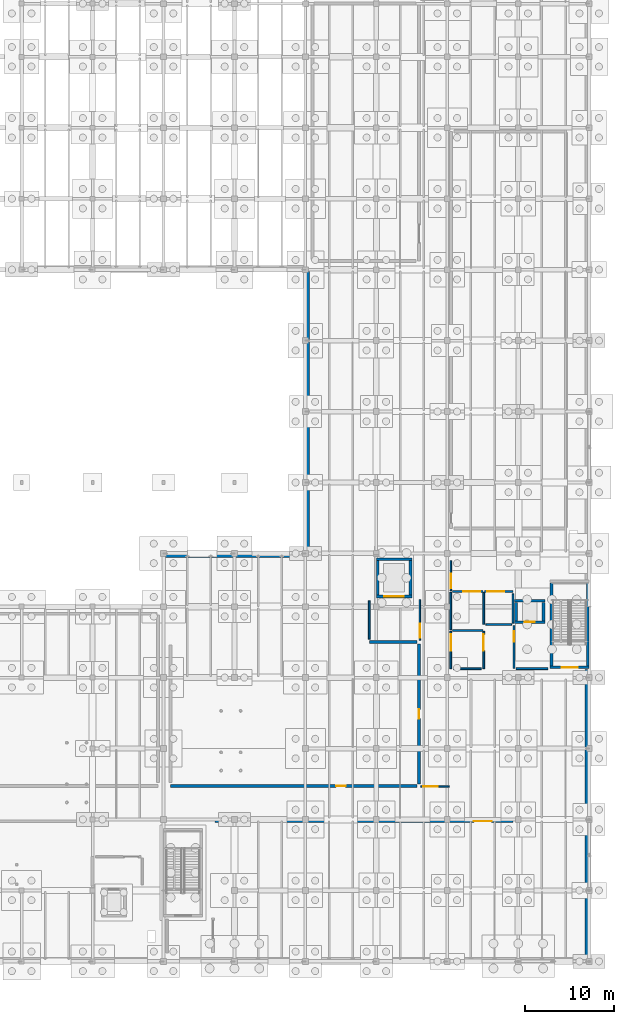
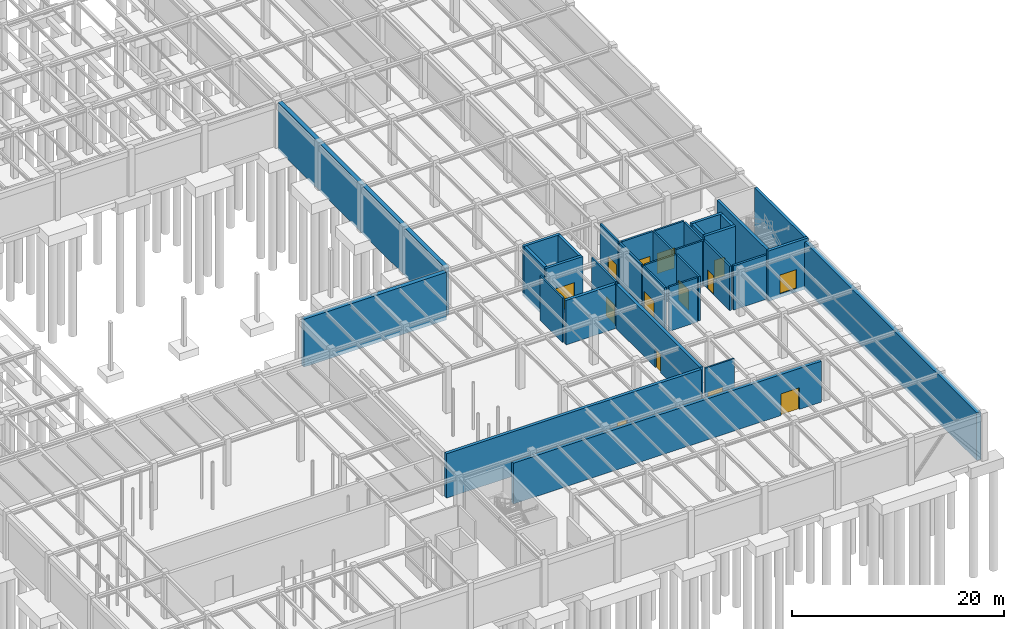
# One storey, part 57 of 71: 34 walls, 14 doors, 14 openings.
"""IFC4 building model written with IfcOpenShell, lengths in metres."""

from ifc_helpers import new_model, si_unit, direction, frame, frame_2d, origin, place, context, subcontext, project, spatial, rectangle, extrude, material, layer, layer_set, type_object, element, fill, save


model = new_model("IFC4")

# Units and contexts
model_context = context("Model", 3, precision=1e-05, world=origin(), true_north=direction((0.0, 1.0)))
body_context = subcontext(model_context, "Body", "Model", "MODEL_VIEW")
ifc_project = project(units=[si_unit("LENGTHUNIT", "METRE"), si_unit("AREAUNIT", "SQUARE_METRE"), si_unit("VOLUMEUNIT", "CUBIC_METRE"), si_unit("PLANEANGLEUNIT", "RADIAN"), si_unit("MASSUNIT", "GRAM", prefix="KILO")], contexts=[model_context])

# Site, building, storey
site_placement = place(None, origin())
site = spatial("IfcSite", under=ifc_project, at=site_placement, CompositionType="ELEMENT")
building_placement = place(site_placement, origin())
building = spatial("IfcBuilding", under=site, at=building_placement, Name="Sundkrona Museum", CompositionType="ELEMENT")
storey_placement = place(building_placement, frame((0.0, 0.0, -5.39990234375)))
storey = spatial("IfcBuildingStorey", under=building, at=storey_placement, Name="B1", CompositionType="ELEMENT", Elevation=-5.39990234375)

# Wall
ifc_material_1 = material(Name="Concrete C40/50", Category="concrete")
ifc_layer_1 = layer(ifc_material_1, 0.330078125)
ifc_layer_set_1 = layer_set([ifc_layer_1], Name="Concrete C40/50")
wall_type_1 = type_object("IfcWallType", Name="W-ARC-120", PredefinedType="SOLIDWALL", material=ifc_layer_set_1)
wall_1_placement = place(storey_placement, frame((143.199951171875, 36.0, 0.0), z_axis=(0.0, 0.0, 1.0), x_axis=(1.0, 0.0, 0.0)))
element("IfcWall", 1, at=wall_1_placement, inside=storey, type_object=wall_type_1, Name="B1 Partition Goods Lift Lobby / Electrical Substation Plant", PredefinedType="SOLIDWALL", context=body_context, shape_type="SweptSolid", body=[
    extrude(rectangle(XDim=5.400146484375, YDim=0.330078125, at=frame_2d((2.7001953125, 0.0))), origin(), (0.0, 0.0, 1.0), 5.119873046875),
])

# Wall, opening, door
wall_2_placement = place(storey_placement, frame((148.800048828125, 20.0, 0.0), z_axis=(0.0, 0.0, 1.0), x_axis=(0.0, 1.0, 0.0)))
wall_2 = element("IfcWall", 2, at=wall_2_placement, inside=storey, type_object=wall_type_1, Name="B1 Partition East Basement Spine / Electrical Substation Plant", PredefinedType="SOLIDWALL", context=body_context, shape_type="SweptSolid", body=[
    extrude(rectangle(XDim=15.800048828125, YDim=0.330078125, at=frame_2d((7.89990234375, 0.0))), origin(), (0.0, 0.0, 1.0), 5.119873046875),
])
opening_1_placement = place(wall_2_placement, frame((7.375, 0.0, 0.0)))
opening_1 = element("IfcOpeningElement", 3, at=opening_1_placement, cuts=wall_2, Name="Opening D-ARC-S120", PredefinedType="OPENING", context=body_context, shape_type="SweptSolid", body=[
    extrude(rectangle(XDim=1.050048828125, YDim=2.14990234375, at=frame_2d((0.52490234375, 1.074951171875))), frame((0.0, 0.175048828125, 0.0), z_axis=(0.0, -1.0, 0.0), x_axis=(1.0, 0.0, 0.0)), (0.0, 0.0, 1.0), 0.35009765625),
])
ifc_material_2 = material(Name="Insulated Steel Vault Door", Category="steel")
door_type_1 = type_object("IfcDoorType", Name="D-ARC-S120", OperationType="NOTDEFINED", PredefinedType="DOOR", material=ifc_material_2)
door_1_placement = place(opening_1_placement, origin())
door_1 = element("IfcDoor", 4, at=door_1_placement, inside=storey, type_object=door_type_1, Name="B1 Interior Door DR-ADJ-B1-0016", OperationType="SINGLE_SWING_RIGHT", OverallHeight=2.14990234375, OverallWidth=1.050048828125, PredefinedType="DOOR", context=body_context, shape_type="SweptSolid", body=[
    extrude(rectangle(XDim=1.050048828125, YDim=2.14990234375, at=frame_2d((0.52490234375, 1.074951171875))), frame((0.0, 0.02490234375, 0.0), z_axis=(0.0, -1.0, 0.0), x_axis=(1.0, 0.0, 0.0)), (0.0, 0.0, 1.0), 0.050048828125),
])
fill(opening_1, door_1)

wall_3_placement = place(storey_placement, frame((125.800048828125, 15.800048828125, 0.0), z_axis=(0.0, 0.0, 1.0), x_axis=(1.0, 0.0, 0.0)))
wall_3 = element("IfcWall", 5, at=wall_3_placement, inside=storey, type_object=wall_type_1, Name="B1 Partition South Basement Corridor / Geological Specimen Archive", PredefinedType="SOLIDWALL", context=body_context, shape_type="SweptSolid", body=[
    extrude(rectangle(XDim=33.599853515625, YDim=0.330078125, at=frame_2d((16.7998046875, 0.0))), origin(), (0.0, 0.0, 1.0), 4.719970703125),
])
opening_2_placement = place(wall_3_placement, frame((29.186279296875, 0.0, 0.0)))
opening_2 = element("IfcOpeningElement", 6, at=opening_2_placement, cuts=wall_3, Name="Opening D-ARC-120", PredefinedType="OPENING", context=body_context, shape_type="SweptSolid", body=[
    extrude(rectangle(XDim=2.0, YDim=2.5, at=frame_2d((1.0, 1.25))), frame((0.0, 0.175048828125, 0.0), z_axis=(0.0, -1.0, 0.0), x_axis=(1.0, 0.0, 0.0)), (0.0, 0.0, 1.0), 0.35009765625),
])
door_type_2 = type_object("IfcDoorType", Name="D-ARC-120", OperationType="DOUBLE_DOOR_SINGLE_SWING", PredefinedType="DOOR", material=ifc_material_2)
door_2_placement = place(opening_2_placement, origin())
door_2 = element("IfcDoor", 7, at=door_2_placement, inside=storey, type_object=door_type_2, Name="B1 Interior Door DR-ADJ-B1-0019", OperationType="DOUBLE_DOOR_SINGLE_SWING", OverallHeight=2.5, OverallWidth=2.0, PredefinedType="DOOR", context=body_context, shape_type="SweptSolid", body=[
    extrude(rectangle(XDim=2.0, YDim=2.5, at=frame_2d((1.0, 1.25))), frame((0.0, 0.02490234375, 0.0), z_axis=(0.0, -1.0, 0.0), x_axis=(1.0, 0.0, 0.0)), (0.0, 0.0, 1.0), 0.050048828125),
])
fill(opening_2, door_2)

wall_4_placement = place(storey_placement, frame((120.800048828125, 19.800048828125, 0.0), z_axis=(0.0, 0.0, 1.0), x_axis=(1.0, 0.0, 0.0)))
wall_4 = element("IfcWall", 8, at=wall_4_placement, inside=storey, type_object=wall_type_1, Name="B1 Partition South Basement Corridor / Electrical Substation Plant", PredefinedType="SOLIDWALL", context=body_context, shape_type="SweptSolid", body=[
    extrude(rectangle(XDim=27.800048828125, YDim=0.330078125, at=frame_2d((13.89990234375, 0.0))), origin(), (0.0, 0.0, 1.0), 5.119873046875),
])
opening_3_placement = place(wall_4_placement, frame((18.67578125, 0.0, 0.0)))
opening_3 = element("IfcOpeningElement", 9, at=opening_3_placement, cuts=wall_4, Name="Opening D-ARC-S120", PredefinedType="OPENING", context=body_context, shape_type="SweptSolid", body=[
    extrude(rectangle(XDim=1.050048828125, YDim=2.14990234375, at=frame_2d((0.52490234375, 1.074951171875))), frame((0.0, 0.175048828125, 0.0), z_axis=(0.0, -1.0, 0.0), x_axis=(1.0, 0.0, 0.0)), (0.0, 0.0, 1.0), 0.35009765625),
])
door_3_placement = place(opening_3_placement, origin())
door_3 = element("IfcDoor", 10, at=door_3_placement, inside=storey, type_object=door_type_1, Name="B1 Interior Door DR-ADJ-B1-0020", OperationType="SINGLE_SWING_RIGHT", OverallHeight=2.14990234375, OverallWidth=1.050048828125, PredefinedType="DOOR", context=body_context, shape_type="SweptSolid", body=[
    extrude(rectangle(XDim=1.050048828125, YDim=2.14990234375, at=frame_2d((0.52490234375, 1.074951171875))), frame((0.0, 0.02490234375, 0.0), z_axis=(0.0, -1.0, 0.0), x_axis=(1.0, 0.0, 0.0)), (0.0, 0.0, 1.0), 0.050048828125),
])
fill(opening_3, door_3)

ifc_layer_2 = layer(ifc_material_1, 0.300048828125)
ifc_layer_set_2 = layer_set([ifc_layer_2], Name="Concrete C40/50")
wall_type_2 = type_object("IfcWallType", Name="W-CORE-300", PredefinedType="SHEAR", material=ifc_layer_set_2)
wall_5_placement = place(storey_placement, frame((163.60009765625, 33.14990234375, -0.400146484375), z_axis=(0.0, 0.0, 1.0), x_axis=(1.0, 0.0, 0.0)))
wall_5 = element("IfcWall", 11, at=wall_5_placement, inside=storey, type_object=wall_type_2, Name="B1 ST-1 Core Shear Wall South", PredefinedType="SHEAR", context=body_context, shape_type="SweptSolid", body=[
    extrude(rectangle(XDim=4.39990234375, YDim=0.300048828125, at=frame_2d((2.199951171875, 0.0))), origin(), (0.0, 0.0, 1.0), 5.800048828125),
])
opening_4_placement = place(wall_5_placement, frame((1.300048828125, 0.0, 0.39990234375)))
opening_4 = element("IfcOpeningElement", 12, at=opening_4_placement, cuts=wall_5, Name="Opening D-FD60", PredefinedType="OPENING", context=body_context, shape_type="SweptSolid", body=[
    extrude(rectangle(XDim=1.800048828125, YDim=2.199951171875, at=frame_2d((0.89990234375, 1.10009765625))), frame((0.0, 0.159912109375, 0.0), z_axis=(0.0, -1.0, 0.0), x_axis=(1.0, 0.0, 0.0)), (0.0, 0.0, 1.0), 0.320068359375),
])
ifc_material_3 = material(Name="Steel S355J2 Fire Door Leaf", Category="steel")
door_type_3 = type_object("IfcDoorType", Name="D-FD60", OperationType="DOUBLE_DOOR_SINGLE_SWING", PredefinedType="DOOR", material=ifc_material_3)
door_4_placement = place(opening_4_placement, origin())
door_4 = element("IfcDoor", 13, at=door_4_placement, inside=storey, type_object=door_type_3, Name="B1 ST-1 Protected Escape Stair Door DR-ST-1-B1", OperationType="DOUBLE_DOOR_SINGLE_SWING", OverallHeight=2.199951171875, OverallWidth=1.800048828125, PredefinedType="DOOR", context=body_context, shape_type="SweptSolid", body=[
    extrude(rectangle(XDim=1.800048828125, YDim=2.199951171875, at=frame_2d((0.89990234375, 1.10009765625))), frame((0.0, 0.02490234375, 0.0), z_axis=(0.0, -1.0, 0.0), x_axis=(1.0, 0.0, 0.0)), (0.0, 0.0, 1.0), 0.050048828125),
])
fill(opening_4, door_4)

# Walls
for number, where, z_axis, x_axis, name in (
    (14, (163.75, 33.31005859375, -0.400146484375), (0.0, 0.0, 1.0), (0.0, 1.0, 0.0), "B1 ST-1 Core Shear Wall West"),
    (15, (167.85009765625, 33.31005859375, -0.400146484375), (0.0, 0.0, 1.0), (0.0, 1.0, 0.0), "B1 ST-1 Core Shear Wall East"),
):
    element("IfcWall", number, at=place(storey_placement, frame(where, z_axis=z_axis, x_axis=x_axis)), inside=storey, type_object=wall_type_2, Name=name, PredefinedType="SHEAR", context=body_context, shape_type="SweptSolid", body=[
        extrude(rectangle(XDim=9.3798828125, YDim=0.300048828125, at=frame_2d((4.68994140625, 0.0))), origin(), (0.0, 0.0, 1.0), 5.800048828125),
    ])

# Wall, opening, door
wall_6_placement = place(storey_placement, frame((159.60009765625, 38.25, -0.400146484375), z_axis=(0.0, 0.0, 1.0), x_axis=(1.0, 0.0, 0.0)))
wall_6 = element("IfcWall", 16, at=wall_6_placement, inside=storey, type_object=wall_type_2, Name="B1 PL-1 Lift Shaft Wall South", PredefinedType="SHEAR", context=body_context, shape_type="SweptSolid", body=[
    extrude(rectangle(XDim=3.39990234375, YDim=0.300048828125, at=frame_2d((1.699951171875, 0.0))), origin(), (0.0, 0.0, 1.0), 5.800048828125),
])
opening_5_placement = place(wall_6_placement, frame((1.14990234375, 0.0, 0.39990234375)))
opening_5 = element("IfcOpeningElement", 17, at=opening_5_placement, cuts=wall_6, Name="Opening LD-01", PredefinedType="OPENING", context=body_context, shape_type="SweptSolid", body=[
    extrude(rectangle(XDim=1.10009765625, YDim=2.14990234375, at=frame_2d((0.550048828125, 1.074951171875))), frame((0.0, 0.159912109375, 0.0), z_axis=(0.0, -1.0, 0.0), x_axis=(1.0, 0.0, 0.0)), (0.0, 0.0, 1.0), 0.320068359375),
])
ifc_material_4 = material(Name="Brushed Stainless Steel Lift Door", Category="steel")
door_type_4 = type_object("IfcDoorType", Name="LD-01", OperationType="SLIDING_TO_LEFT", PredefinedType="DOOR", material=ifc_material_4)
door_5_placement = place(opening_5_placement, origin())
door_5 = element("IfcDoor", 18, at=door_5_placement, inside=storey, type_object=door_type_4, Name="B1 Firefighters Passenger Lift PL-1 Landing Door DR-LIFT-PL-1-B1", OperationType="SLIDING_TO_LEFT", OverallHeight=2.14990234375, OverallWidth=1.10009765625, PredefinedType="DOOR", context=body_context, shape_type="SweptSolid", body=[
    extrude(rectangle(XDim=1.10009765625, YDim=2.14990234375, at=frame_2d((0.550048828125, 1.074951171875))), frame((0.0, 0.02490234375, 0.0), z_axis=(0.0, -1.0, 0.0), x_axis=(1.0, 0.0, 0.0)), (0.0, 0.0, 1.0), 0.050048828125),
])
fill(opening_5, door_5)

# Walls
wall_7_placement = place(storey_placement, frame((159.60009765625, 40.64990234375, -0.400146484375), z_axis=(0.0, 0.0, 1.0), x_axis=(1.0, 0.0, 0.0)))
element("IfcWall", 19, at=wall_7_placement, inside=storey, type_object=wall_type_2, Name="B1 PL-1 Lift Shaft Wall North", PredefinedType="SHEAR", context=body_context, shape_type="SweptSolid", body=[
    extrude(rectangle(XDim=3.39990234375, YDim=0.300048828125, at=frame_2d((1.699951171875, 0.0))), origin(), (0.0, 0.0, 1.0), 5.800048828125),
])
for number, where, z_axis, x_axis, name in (
    (20, (159.75, 38.409912109375, -0.400146484375), (0.0, 0.0, 1.0), (0.0, 1.0, 0.0), "B1 PL-1 Lift Shaft Wall West"),
    (21, (162.85009765625, 38.409912109375, -0.400146484375), (0.0, 0.0, 1.0), (0.0, 1.0, 0.0), "B1 PL-1 Lift Shaft Wall East"),
):
    element("IfcWall", number, at=place(storey_placement, frame(where, z_axis=z_axis, x_axis=x_axis)), inside=storey, type_object=wall_type_2, Name=name, PredefinedType="SHEAR", context=body_context, shape_type="SweptSolid", body=[
        extrude(rectangle(XDim=2.080078125, YDim=0.300048828125, at=frame_2d((1.0400390625, 0.0))), origin(), (0.0, 0.0, 1.0), 5.800048828125),
    ])

# Wall, opening, door
wall_8_placement = place(storey_placement, frame((144.0, 41.14990234375, -0.400146484375), z_axis=(0.0, 0.0, 1.0), x_axis=(1.0, 0.0, 0.0)))
wall_8 = element("IfcWall", 22, at=wall_8_placement, inside=storey, type_object=wall_type_2, Name="B1 GL-1 Lift Shaft Wall South", PredefinedType="SHEAR", context=body_context, shape_type="SweptSolid", body=[
    extrude(rectangle(XDim=4.0, YDim=0.300048828125, at=frame_2d((2.0, 0.0))), origin(), (0.0, 0.0, 1.0), 5.800048828125),
])
opening_6_placement = place(wall_8_placement, frame((0.89990234375, 0.0, 0.39990234375)))
opening_6 = element("IfcOpeningElement", 23, at=opening_6_placement, cuts=wall_8, Name="Opening LD-GL", PredefinedType="OPENING", context=body_context, shape_type="SweptSolid", body=[
    extrude(rectangle(XDim=2.199951171875, YDim=2.699951171875, at=frame_2d((1.10009765625, 1.35009765625))), frame((0.0, 0.159912109375, 0.0), z_axis=(0.0, -1.0, 0.0), x_axis=(1.0, 0.0, 0.0)), (0.0, 0.0, 1.0), 0.320068359375),
])
ifc_material_5 = material(Name="Heavy Stainless Steel Goods Lift Door", Category="steel")
door_type_5 = type_object("IfcDoorType", Name="LD-GL", OperationType="DOUBLE_DOOR_SLIDING", PredefinedType="DOOR", material=ifc_material_5)
door_6_placement = place(opening_6_placement, origin())
door_6 = element("IfcDoor", 24, at=door_6_placement, inside=storey, type_object=door_type_5, Name="B1 Goods Lift Landing Door DR-LIFT-GL-1-B1", OperationType="DOUBLE_DOOR_SLIDING", OverallHeight=2.699951171875, OverallWidth=2.199951171875, PredefinedType="DOOR", context=body_context, shape_type="SweptSolid", body=[
    extrude(rectangle(XDim=2.199951171875, YDim=2.699951171875, at=frame_2d((1.10009765625, 1.35009765625))), frame((0.0, 0.02490234375, 0.0), z_axis=(0.0, -1.0, 0.0), x_axis=(1.0, 0.0, 0.0)), (0.0, 0.0, 1.0), 0.050048828125),
])
fill(opening_6, door_6)

# Walls
wall_9_placement = place(storey_placement, frame((144.0, 45.35009765625, -0.400146484375), z_axis=(0.0, 0.0, 1.0), x_axis=(1.0, 0.0, 0.0)))
element("IfcWall", 25, at=wall_9_placement, inside=storey, type_object=wall_type_2, Name="B1 GL-1 Lift Shaft Wall North", PredefinedType="SHEAR", context=body_context, shape_type="SweptSolid", body=[
    extrude(rectangle(XDim=4.0, YDim=0.300048828125, at=frame_2d((2.0, 0.0))), origin(), (0.0, 0.0, 1.0), 5.800048828125),
])
for number, where, z_axis, x_axis, name in (
    (26, (144.14990234375, 41.31005859375, -0.400146484375), (0.0, 0.0, 1.0), (0.0, 1.0, 0.0), "B1 GL-1 Lift Shaft Wall West"),
    (27, (147.85009765625, 41.31005859375, -0.400146484375), (0.0, 0.0, 1.0), (0.0, 1.0, 0.0), "B1 GL-1 Lift Shaft Wall East"),
):
    element("IfcWall", number, at=place(storey_placement, frame(where, z_axis=z_axis, x_axis=x_axis)), inside=storey, type_object=wall_type_2, Name=name, PredefinedType="SHEAR", context=body_context, shape_type="SweptSolid", body=[
        extrude(rectangle(XDim=3.8798828125, YDim=0.300048828125, at=frame_2d((1.93994140625, 0.0))), origin(), (0.0, 0.0, 1.0), 5.800048828125),
    ])

# Wall, opening, door
ifc_material_6 = material(Name="Autoclaved Aerated Masonry 225 mm", Category="masonry")
ifc_layer_3 = layer(ifc_material_6, 0.22509765625)
ifc_layer_set_3 = layer_set([ifc_layer_3], Name="Autoclaved Aerated Masonry 225 mm")
wall_type_3 = type_object("IfcWallType", Name="W-FF-225", PredefinedType="SOLIDWALL", material=ifc_layer_set_3)
wall_10_placement = place(storey_placement, frame((159.5, 33.0, 0.0), z_axis=(0.0, 0.0, 1.0), x_axis=(0.0, 1.0, 0.0)))
wall_10 = element("IfcWall", 28, at=wall_10_placement, inside=storey, type_object=wall_type_3, Name="B1 Partition Firefighting Lobby / Core 1 North Basement Link", PredefinedType="SOLIDWALL", context=body_context, shape_type="SweptSolid", body=[
    extrude(rectangle(XDim=4.89990234375, YDim=0.22509765625, at=frame_2d((2.449951171875, 0.0))), origin(), (0.0, 0.0, 1.0), 5.119873046875),
])
opening_7_placement = place(wall_10_placement, frame((3.05615234375, 0.0, 0.0)))
opening_7 = element("IfcOpeningElement", 29, at=opening_7_placement, cuts=wall_10, Name="Opening D-FF60", PredefinedType="OPENING", context=body_context, shape_type="SweptSolid", body=[
    extrude(rectangle(XDim=1.14990234375, YDim=2.199951171875, at=frame_2d((0.574951171875, 1.10009765625))), frame((0.0, 0.12255859375, 0.0), z_axis=(0.0, -1.0, 0.0), x_axis=(1.0, 0.0, 0.0)), (0.0, 0.0, 1.0), 0.2451171875),
])
door_type_6 = type_object("IfcDoorType", Name="D-FF60", OperationType="NOTDEFINED", PredefinedType="DOOR", material=ifc_material_3)
door_7_placement = place(opening_7_placement, origin())
door_7 = element("IfcDoor", 30, at=door_7_placement, inside=storey, type_object=door_type_6, Name="B1 Interior Door DR-ADJ-B1-0001", OperationType="SINGLE_SWING_LEFT", OverallHeight=2.199951171875, OverallWidth=1.14990234375, PredefinedType="DOOR", context=body_context, shape_type="SweptSolid", body=[
    extrude(rectangle(XDim=1.14990234375, YDim=2.199951171875, at=frame_2d((0.574951171875, 1.10009765625))), frame((0.0, 0.02490234375, 0.0), z_axis=(0.0, -1.0, 0.0), x_axis=(1.0, 0.0, 0.0)), (0.0, 0.0, 1.0), 0.050048828125),
])
fill(opening_7, door_7)

# Wall
wall_11_placement = place(storey_placement, frame((159.75, 33.0, 0.0), z_axis=(0.0, 0.0, 1.0), x_axis=(1.0, 0.0, 0.0)))
element("IfcWall", 31, at=wall_11_placement, inside=storey, type_object=wall_type_3, Name="B1 Firefighting Lobby Enclosure Wall S", PredefinedType="SOLIDWALL", context=body_context, shape_type="SweptSolid", body=[
    extrude(rectangle(XDim=3.60009765625, YDim=0.22509765625, at=frame_2d((1.800048828125, 0.0))), origin(), (0.0, 0.0, 1.0), 5.119873046875),
])

# Wall, opening, door
ifc_material_7 = material(Name="Fire-rated Gypsum Partition Board 175 mm", Category="other")
ifc_layer_4 = layer(ifc_material_7, 0.175048828125)
ifc_layer_set_4 = layer_set([ifc_layer_4], Name="Fire-rated Gypsum Partition Board 175 mm")
wall_type_4 = type_object("IfcWallType", Name="W-PT-175", PredefinedType="PARTITIONING", material=ifc_layer_set_4)
wall_12_placement = place(storey_placement, frame((148.89990234375, 36.199951171875, 0.0), z_axis=(0.0, 0.0, 1.0), x_axis=(0.0, 1.0, 0.0)))
wall_12 = element("IfcWall", 32, at=wall_12_placement, inside=storey, type_object=wall_type_4, Name="B1 Partition Goods Lift Lobby / East Basement Spine", PredefinedType="PARTITIONING", context=body_context, shape_type="SweptSolid", body=[
    extrude(rectangle(XDim=4.60009765625, YDim=0.175048828125, at=frame_2d((2.300048828125, 0.0))), origin(), (0.0, 0.0, 1.0), 5.119873046875),
])
opening_8_placement = place(wall_12_placement, frame((0.300048828125, 0.0, 0.0)))
opening_8 = element("IfcOpeningElement", 33, at=opening_8_placement, cuts=wall_12, Name="Opening D-CMP-160", PredefinedType="OPENING", context=body_context, shape_type="SweptSolid", body=[
    extrude(rectangle(XDim=1.60009765625, YDim=2.25, at=frame_2d((0.800048828125, 1.125))), frame((0.0, 0.097412109375, 0.0), z_axis=(0.0, -1.0, 0.0), x_axis=(1.0, 0.0, 0.0)), (0.0, 0.0, 1.0), 0.195068359375),
])
ifc_material_8 = material(Name="Glazed Steel Fire Screen Door", Category="steel")
door_type_7 = type_object("IfcDoorType", Name="D-CMP-160", OperationType="DOUBLE_DOOR_SINGLE_SWING", PredefinedType="DOOR", material=ifc_material_8)
door_8_placement = place(opening_8_placement, origin())
door_8 = element("IfcDoor", 34, at=door_8_placement, inside=storey, type_object=door_type_7, Name="B1 Interior Door DR-ADJ-B1-0002", OperationType="DOUBLE_DOOR_SINGLE_SWING", OverallHeight=2.25, OverallWidth=1.60009765625, PredefinedType="DOOR", context=body_context, shape_type="SweptSolid", body=[
    extrude(rectangle(XDim=1.60009765625, YDim=2.25, at=frame_2d((0.800048828125, 1.125))), frame((0.0, 0.02490234375, 0.0), z_axis=(0.0, -1.0, 0.0), x_axis=(1.0, 0.0, 0.0)), (0.0, 0.0, 1.0), 0.050048828125),
])
fill(opening_8, door_8)

wall_13_placement = place(storey_placement, frame((152.39990234375, 41.800048828125, 0.0), z_axis=(0.0, 0.0, 1.0), x_axis=(0.0, 1.0, 0.0)))
wall_13 = element("IfcWall", 35, at=wall_13_placement, inside=storey, type_object=wall_type_4, Name="B1 Partition Sanitary WC Lobby / East Basement Spine", PredefinedType="PARTITIONING", context=body_context, shape_type="SweptSolid", body=[
    extrude(rectangle(XDim=3.39990234375, YDim=0.175048828125, at=frame_2d((1.699951171875, 0.0))), origin(), (0.0, 0.0, 1.0), 5.119873046875),
])
opening_9_placement = place(wall_13_placement, frame((0.300048828125, 0.0, 0.0)))
opening_9 = element("IfcOpeningElement", 36, at=opening_9_placement, cuts=wall_13, Name="Opening D-CMP-160", PredefinedType="OPENING", context=body_context, shape_type="SweptSolid", body=[
    extrude(rectangle(XDim=1.60009765625, YDim=2.25, at=frame_2d((0.800048828125, 1.125))), frame((0.0, 0.097412109375, 0.0), z_axis=(0.0, -1.0, 0.0), x_axis=(1.0, 0.0, 0.0)), (0.0, 0.0, 1.0), 0.195068359375),
])
door_9_placement = place(opening_9_placement, origin())
door_9 = element("IfcDoor", 37, at=door_9_placement, inside=storey, type_object=door_type_7, Name="B1 Interior Door DR-ADJ-B1-0005", OperationType="DOUBLE_DOOR_SINGLE_SWING", OverallHeight=2.25, OverallWidth=1.60009765625, PredefinedType="DOOR", context=body_context, shape_type="SweptSolid", body=[
    extrude(rectangle(XDim=1.60009765625, YDim=2.25, at=frame_2d((0.800048828125, 1.125))), frame((0.0, 0.02490234375, 0.0), z_axis=(0.0, -1.0, 0.0), x_axis=(1.0, 0.0, 0.0)), (0.0, 0.0, 1.0), 0.050048828125),
])
fill(opening_9, door_9)

wall_14_placement = place(storey_placement, frame((149.0, 19.699951171875, 0.0), z_axis=(0.0, 0.0, 1.0), x_axis=(1.0, 0.0, 0.0)))
wall_14 = element("IfcWall", 38, at=wall_14_placement, inside=storey, type_object=wall_type_4, Name="B1 Partition East Basement Spine / South Basement Corridor", PredefinedType="PARTITIONING", context=body_context, shape_type="SweptSolid", body=[
    extrude(rectangle(XDim=3.199951171875, YDim=0.175048828125, at=frame_2d((1.60009765625, 0.0))), origin(), (0.0, 0.0, 1.0), 5.119873046875),
])
opening_10_placement = place(wall_14_placement, frame((0.300048828125, 0.0, 0.0)))
opening_10 = element("IfcOpeningElement", 39, at=opening_10_placement, cuts=wall_14, Name="Opening D-CMP-160", PredefinedType="OPENING", context=body_context, shape_type="SweptSolid", body=[
    extrude(rectangle(XDim=1.60009765625, YDim=2.25, at=frame_2d((0.800048828125, 1.125))), frame((0.0, 0.097412109375, 0.0), z_axis=(0.0, -1.0, 0.0), x_axis=(1.0, 0.0, 0.0)), (0.0, 0.0, 1.0), 0.195068359375),
])
door_10_placement = place(opening_10_placement, origin())
door_10 = element("IfcDoor", 40, at=door_10_placement, inside=storey, type_object=door_type_7, Name="B1 Interior Door DR-ADJ-B1-0015", OperationType="DOUBLE_DOOR_SINGLE_SWING", OverallHeight=2.25, OverallWidth=1.60009765625, PredefinedType="DOOR", context=body_context, shape_type="SweptSolid", body=[
    extrude(rectangle(XDim=1.60009765625, YDim=2.25, at=frame_2d((0.800048828125, 1.125))), frame((0.0, 0.02490234375, 0.0), z_axis=(0.0, -1.0, 0.0), x_axis=(1.0, 0.0, 0.0)), (0.0, 0.0, 1.0), 0.050048828125),
])
fill(opening_10, door_10)

# Wall
wall_15_placement = place(storey_placement, frame((143.199951171875, 36.35009765625, 0.0), z_axis=(0.0, 0.0, 1.0), x_axis=(0.0, 1.0, 0.0)))
element("IfcWall", 41, at=wall_15_placement, inside=storey, type_object=wall_type_4, Name="B1 Goods Lift Lobby Enclosure Wall W", PredefinedType="PARTITIONING", context=body_context, shape_type="SweptSolid", body=[
    extrude(rectangle(XDim=4.2998046875, YDim=0.175048828125, at=frame_2d((2.14990234375, 0.0))), origin(), (0.0, 0.0, 1.0), 5.119873046875),
])

# Wall, opening, door
ifc_material_9 = material(Name="Moisture-resistant Tile Partition 200 mm", Category="other")
ifc_layer_5 = layer(ifc_material_9, 0.199951171875)
ifc_layer_set_5 = layer_set([ifc_layer_5], Name="Moisture-resistant Tile Partition 200 mm")
wall_type_5 = type_object("IfcWallType", Name="W-PT-200", PredefinedType="PARTITIONING", material=ifc_layer_set_5)
wall_16_placement = place(storey_placement, frame((152.60009765625, 41.699951171875, 0.0), z_axis=(0.0, 0.0, 1.0), x_axis=(1.0, 0.0, 0.0)))
wall_16 = element("IfcWall", 42, at=wall_16_placement, inside=storey, type_object=wall_type_5, Name="B1 Partition Sanitary WC Lobby / Female Toilet", PredefinedType="PARTITIONING", context=body_context, shape_type="SweptSolid", body=[
    extrude(rectangle(XDim=3.39990234375, YDim=0.199951171875, at=frame_2d((1.699951171875, 0.0))), origin(), (0.0, 0.0, 1.0), 5.119873046875),
])
opening_11_placement = place(wall_16_placement, frame((1.199951171875, 0.0, 0.0)))
opening_11 = element("IfcOpeningElement", 43, at=opening_11_placement, cuts=wall_16, Name="Opening D-AUD-190", PredefinedType="OPENING", context=body_context, shape_type="SweptSolid", body=[
    extrude(rectangle(XDim=1.89990234375, YDim=2.35009765625, at=frame_2d((0.949951171875, 1.175048828125))), frame((0.0, 0.10986328125, 0.0), z_axis=(0.0, -1.0, 0.0), x_axis=(1.0, 0.0, 0.0)), (0.0, 0.0, 1.0), 0.219970703125),
])
ifc_material_10 = material(Name="Acoustic Oak Fire Door", Category="other")
door_type_8 = type_object("IfcDoorType", Name="D-AUD-190", OperationType="DOUBLE_DOOR_SINGLE_SWING", PredefinedType="DOOR", material=ifc_material_10)
door_11_placement = place(opening_11_placement, origin())
door_11 = element("IfcDoor", 44, at=door_11_placement, inside=storey, type_object=door_type_8, Name="B1 Interior Door DR-ADJ-B1-0003", OperationType="DOUBLE_DOOR_SINGLE_SWING", OverallHeight=2.35009765625, OverallWidth=1.89990234375, PredefinedType="DOOR", context=body_context, shape_type="SweptSolid", body=[
    extrude(rectangle(XDim=1.89990234375, YDim=2.35009765625, at=frame_2d((0.949951171875, 1.175048828125))), frame((0.0, 0.02490234375, 0.0), z_axis=(0.0, -1.0, 0.0), x_axis=(1.0, 0.0, 0.0)), (0.0, 0.0, 1.0), 0.050048828125),
])
fill(opening_11, door_11)

wall_17_placement = place(storey_placement, frame((156.199951171875, 41.699951171875, 0.0), z_axis=(0.0, 0.0, 1.0), x_axis=(1.0, 0.0, 0.0)))
wall_17 = element("IfcWall", 45, at=wall_17_placement, inside=storey, type_object=wall_type_5, Name="B1 Partition Sanitary WC Lobby / Accessible WC", PredefinedType="PARTITIONING", context=body_context, shape_type="SweptSolid", body=[
    extrude(rectangle(XDim=3.199951171875, YDim=0.199951171875, at=frame_2d((1.60009765625, 0.0))), origin(), (0.0, 0.0, 1.0), 5.119873046875),
])
opening_12_placement = place(wall_17_placement, frame((0.300048828125, 0.0, 0.0)))
opening_12 = element("IfcOpeningElement", 46, at=opening_12_placement, cuts=wall_17, Name="Opening D-AUD-190", PredefinedType="OPENING", context=body_context, shape_type="SweptSolid", body=[
    extrude(rectangle(XDim=1.89990234375, YDim=2.35009765625, at=frame_2d((0.949951171875, 1.175048828125))), frame((0.0, 0.10986328125, 0.0), z_axis=(0.0, -1.0, 0.0), x_axis=(1.0, 0.0, 0.0)), (0.0, 0.0, 1.0), 0.219970703125),
])
door_12_placement = place(opening_12_placement, origin())
door_12 = element("IfcDoor", 47, at=door_12_placement, inside=storey, type_object=door_type_8, Name="B1 Interior Door DR-ADJ-B1-0004", OperationType="DOUBLE_DOOR_SINGLE_SWING", OverallHeight=2.35009765625, OverallWidth=1.89990234375, PredefinedType="DOOR", context=body_context, shape_type="SweptSolid", body=[
    extrude(rectangle(XDim=1.89990234375, YDim=2.35009765625, at=frame_2d((0.949951171875, 1.175048828125))), frame((0.0, 0.02490234375, 0.0), z_axis=(0.0, -1.0, 0.0), x_axis=(1.0, 0.0, 0.0)), (0.0, 0.0, 1.0), 0.050048828125),
])
fill(opening_12, door_12)

# Wall
wall_18_placement = place(storey_placement, frame((152.60009765625, 37.300048828125, 0.0), z_axis=(0.0, 0.0, 1.0), x_axis=(1.0, 0.0, 0.0)))
element("IfcWall", 48, at=wall_18_placement, inside=storey, type_object=wall_type_5, Name="B1 Partition Male Toilet / Female Toilet", PredefinedType="PARTITIONING", context=body_context, shape_type="SweptSolid", body=[
    extrude(rectangle(XDim=3.39990234375, YDim=0.199951171875, at=frame_2d((1.699951171875, 0.0))), origin(), (0.0, 0.0, 1.0), 5.119873046875),
])

# Wall, opening, door
wall_19_placement = place(storey_placement, frame((152.39990234375, 33.0, 0.0), z_axis=(0.0, 0.0, 1.0), x_axis=(0.0, 1.0, 0.0)))
wall_19 = element("IfcWall", 49, at=wall_19_placement, inside=storey, type_object=wall_type_5, Name="B1 Partition Male Toilet / East Basement Spine", PredefinedType="PARTITIONING", context=body_context, shape_type="SweptSolid", body=[
    extrude(rectangle(XDim=4.199951171875, YDim=0.199951171875, at=frame_2d((2.10009765625, 0.0))), origin(), (0.0, 0.0, 1.0), 5.119873046875),
])
opening_13_placement = place(wall_19_placement, frame((2.0, 0.0, 0.0)))
opening_13 = element("IfcOpeningElement", 50, at=opening_13_placement, cuts=wall_19, Name="Opening D-AUD-190", PredefinedType="OPENING", context=body_context, shape_type="SweptSolid", body=[
    extrude(rectangle(XDim=1.89990234375, YDim=2.35009765625, at=frame_2d((0.949951171875, 1.175048828125))), frame((0.0, 0.10986328125, 0.0), z_axis=(0.0, -1.0, 0.0), x_axis=(1.0, 0.0, 0.0)), (0.0, 0.0, 1.0), 0.219970703125),
])
door_13_placement = place(opening_13_placement, origin())
door_13 = element("IfcDoor", 51, at=door_13_placement, inside=storey, type_object=door_type_8, Name="B1 Interior Door DR-ADJ-B1-0006", OperationType="DOUBLE_DOOR_SINGLE_SWING", OverallHeight=2.35009765625, OverallWidth=1.89990234375, PredefinedType="DOOR", context=body_context, shape_type="SweptSolid", body=[
    extrude(rectangle(XDim=1.89990234375, YDim=2.35009765625, at=frame_2d((0.949951171875, 1.175048828125))), frame((0.0, 0.02490234375, 0.0), z_axis=(0.0, -1.0, 0.0), x_axis=(1.0, 0.0, 0.0)), (0.0, 0.0, 1.0), 0.050048828125),
])
fill(opening_13, door_13)

wall_20_placement = place(storey_placement, frame((156.10009765625, 33.0, 0.0), z_axis=(0.0, 0.0, 1.0), x_axis=(0.0, 1.0, 0.0)))
wall_20 = element("IfcWall", 52, at=wall_20_placement, inside=storey, type_object=wall_type_5, Name="B1 Partition Male Toilet / Core 1 North Basement Link", PredefinedType="PARTITIONING", context=body_context, shape_type="SweptSolid", body=[
    extrude(rectangle(XDim=4.199951171875, YDim=0.199951171875, at=frame_2d((2.10009765625, 0.0))), origin(), (0.0, 0.0, 1.0), 5.119873046875),
])
opening_14_placement = place(wall_20_placement, frame((2.0, 0.0, 0.0)))
opening_14 = element("IfcOpeningElement", 53, at=opening_14_placement, cuts=wall_20, Name="Opening D-AUD-190", PredefinedType="OPENING", context=body_context, shape_type="SweptSolid", body=[
    extrude(rectangle(XDim=1.89990234375, YDim=2.35009765625, at=frame_2d((0.949951171875, 1.175048828125))), frame((0.0, 0.10986328125, 0.0), z_axis=(0.0, -1.0, 0.0), x_axis=(1.0, 0.0, 0.0)), (0.0, 0.0, 1.0), 0.219970703125),
])
door_14_placement = place(opening_14_placement, origin())
door_14 = element("IfcDoor", 54, at=door_14_placement, inside=storey, type_object=door_type_8, Name="B1 Interior Door DR-ADJ-B1-0007", OperationType="DOUBLE_DOOR_SINGLE_SWING", OverallHeight=2.35009765625, OverallWidth=1.89990234375, PredefinedType="DOOR", context=body_context, shape_type="SweptSolid", body=[
    extrude(rectangle(XDim=1.89990234375, YDim=2.35009765625, at=frame_2d((0.949951171875, 1.175048828125))), frame((0.0, 0.02490234375, 0.0), z_axis=(0.0, -1.0, 0.0), x_axis=(1.0, 0.0, 0.0)), (0.0, 0.0, 1.0), 0.050048828125),
])
fill(opening_14, door_14)

# Walls
wall_21_placement = place(storey_placement, frame((156.10009765625, 38.0, 0.0), z_axis=(0.0, 0.0, 1.0), x_axis=(0.0, 1.0, 0.0)))
element("IfcWall", 55, at=wall_21_placement, inside=storey, type_object=wall_type_5, Name="B1 Partition Female Toilet / Accessible WC", PredefinedType="PARTITIONING", context=body_context, shape_type="SweptSolid", body=[
    extrude(rectangle(XDim=3.60009765625, YDim=0.199951171875, at=frame_2d((1.800048828125, 0.0))), origin(), (0.0, 0.0, 1.0), 5.119873046875),
])
wall_22_placement = place(storey_placement, frame((152.39990234375, 37.39990234375, 0.0), z_axis=(0.0, 0.0, 1.0), x_axis=(0.0, 1.0, 0.0)))
element("IfcWall", 56, at=wall_22_placement, inside=storey, type_object=wall_type_5, Name="B1 Partition Female Toilet / East Basement Spine", PredefinedType="PARTITIONING", context=body_context, shape_type="SweptSolid", body=[
    extrude(rectangle(XDim=4.2001953125, YDim=0.199951171875, at=frame_2d((2.10009765625, 0.0))), origin(), (0.0, 0.0, 1.0), 5.119873046875),
])
wall_23_placement = place(storey_placement, frame((152.75, 33.0, 0.0), z_axis=(0.0, 0.0, 1.0), x_axis=(1.0, 0.0, 0.0)))
element("IfcWall", 57, at=wall_23_placement, inside=storey, type_object=wall_type_5, Name="B1 Male Toilet Enclosure Wall S", PredefinedType="PARTITIONING", context=body_context, shape_type="SweptSolid", body=[
    extrude(rectangle(XDim=3.10009765625, YDim=0.199951171875, at=frame_2d((1.550048828125, 0.0))), origin(), (0.0, 0.0, 1.0), 5.119873046875),
])
wall_24_placement = place(storey_placement, frame((156.35009765625, 38.0, 0.0), z_axis=(0.0, 0.0, 1.0), x_axis=(1.0, 0.0, 0.0)))
element("IfcWall", 58, at=wall_24_placement, inside=storey, type_object=wall_type_5, Name="B1 Accessible WC Enclosure Wall S", PredefinedType="PARTITIONING", context=body_context, shape_type="SweptSolid", body=[
    extrude(rectangle(XDim=2.89990234375, YDim=0.199951171875, at=frame_2d((1.449951171875, 0.0))), origin(), (0.0, 0.0, 1.0), 5.119873046875),
])
wall_25_placement = place(storey_placement, frame((159.39990234375, 38.14990234375, 0.0), z_axis=(0.0, 0.0, 1.0), x_axis=(0.0, 1.0, 0.0)))
element("IfcWall", 59, at=wall_25_placement, inside=storey, type_object=wall_type_5, Name="B1 Accessible WC Enclosure Wall E", PredefinedType="PARTITIONING", context=body_context, shape_type="SweptSolid", body=[
    extrude(rectangle(XDim=3.300048828125, YDim=0.199951171875, at=frame_2d((1.64990234375, 0.0))), origin(), (0.0, 0.0, 1.0), 5.119873046875),
])
ifc_layer_6 = layer(ifc_material_1, 0.449951171875)
ifc_layer_set_6 = layer_set([ifc_layer_6], Name="Concrete C40/50")
wall_type_6 = type_object("IfcWallType", Name="W-RET-450", PredefinedType="USERDEFINED", material=ifc_layer_set_6)
wall_26_placement = place(storey_placement, frame((167.77490234375, 0.449951171875, -0.400146484375), z_axis=(0.0, 0.0, 1.0), x_axis=(0.0, 1.0, 0.0)))
element("IfcWall", 60, at=wall_26_placement, inside=storey, type_object=wall_type_6, Name="Basement Retaining Wall 02", ObjectType="RETAININGWALL", PredefinedType="USERDEFINED", context=body_context, shape_type="SweptSolid", body=[
    extrude(rectangle(XDim=32.489990234375, YDim=0.449951171875, at=frame_2d((16.2451171875, 0.0))), origin(), (0.0, 0.0, 1.0), 5.5),
])
wall_27_placement = place(storey_placement, frame((136.22509765625, 46.22509765625, -0.400146484375), z_axis=(0.0, 0.0, 1.0), x_axis=(0.0, 1.0, 0.0)))
element("IfcWall", 61, at=wall_27_placement, inside=storey, type_object=wall_type_6, Name="Basement Retaining Wall 17", ObjectType="RETAININGWALL", PredefinedType="USERDEFINED", context=body_context, shape_type="SweptSolid", body=[
    extrude(rectangle(XDim=31.5498046875, YDim=0.449951171875, at=frame_2d((15.77490234375, 0.0))), origin(), (0.0, 0.0, 1.0), 5.5),
])
wall_28_placement = place(storey_placement, frame((120.22509765625, 45.77490234375, -0.400146484375), z_axis=(0.0, 0.0, 1.0), x_axis=(1.0, 0.0, 0.0)))
element("IfcWall", 62, at=wall_28_placement, inside=storey, type_object=wall_type_6, Name="Basement Retaining Wall 18", ObjectType="RETAININGWALL", PredefinedType="USERDEFINED", context=body_context, shape_type="SweptSolid", body=[
    extrude(rectangle(XDim=15.5498046875, YDim=0.449951171875, at=frame_2d((7.77490234375, 0.0))), origin(), (0.0, 0.0, 1.0), 5.5),
])

save(model, "model.ifc")
